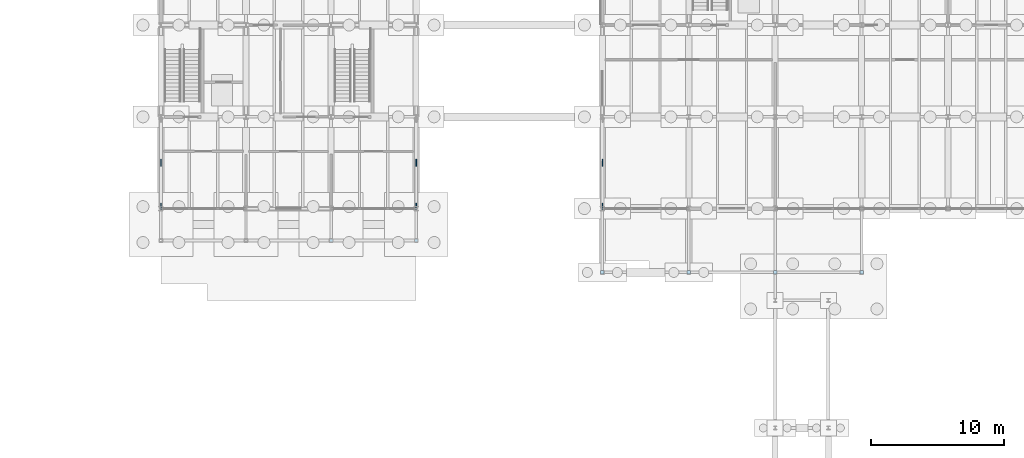
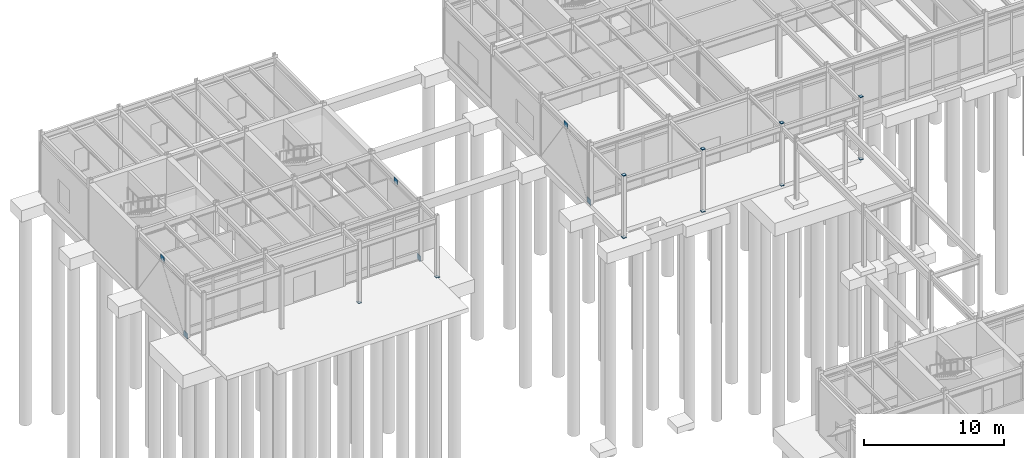
# One storey, part 60 of 82: 16 plates.
"""IFC4 building model written with IfcOpenShell, lengths in metres."""

from ifc_helpers import new_model, si_unit, direction, frame, origin, origin_2d, place, context, subcontext, project, spatial, rectangle, extrude, material, layer, layer_set, type_object, element, save


model = new_model("IFC4")

# Units and contexts
model_context = context("Model", 3, precision=1e-05, world=origin(), true_north=direction((0.0, 1.0)))
body_context = subcontext(model_context, "Body", "Model", "MODEL_VIEW")
ifc_project = project(units=[si_unit("LENGTHUNIT", "METRE"), si_unit("AREAUNIT", "SQUARE_METRE"), si_unit("VOLUMEUNIT", "CUBIC_METRE"), si_unit("PLANEANGLEUNIT", "RADIAN"), si_unit("MASSUNIT", "GRAM", prefix="KILO")], contexts=[model_context])

# Site, building, storey
site_placement = place(None, origin())
site = spatial("IfcSite", under=ifc_project, at=site_placement, CompositionType="ELEMENT")
building_placement = place(site_placement, origin())
building = spatial("IfcBuilding", under=site, at=building_placement, Name="Trelmorton Wharf Fire Station", CompositionType="ELEMENT")
storey_placement = place(building_placement, origin())
storey = spatial("IfcBuildingStorey", under=building, at=storey_placement, Name="L00", CompositionType="ELEMENT", Elevation=0.0)

# Plates
ifc_material = material(Name="Steel Grade 350", Category="steel")
ifc_layer_1 = layer(ifc_material, 0.02001953125)
ifc_layer_set_1 = layer_set([ifc_layer_1], Name="Steel Grade 350")
plate_type_1 = type_object("IfcPlateType", Name="PL_ENDCAP_20", PredefinedType="SHEET", material=ifc_layer_set_1)
for number, where, z_axis, x_axis, name in (
    (1, (83.60009765625, 57.89990234375, -0.02197265625), (0.0, 0.0, 1.0), (1.0, 0.0, 0.0), "PL-COLCAP-B-0130"),
    (2, (90.0, 57.89990234375, -0.02197265625), (0.0, 0.0, 1.0), (1.0, 0.0, 0.0), "PL-COLCAP-B-0137"),
    (3, (104.0, 55.5, -0.02197265625), (0.0, 0.0, 1.0), (1.0, 0.0, 0.0), "PL-COLCAP-B-0151"),
    (4, (104.0, 55.5, 5.39794921875), (0.0, 0.0, 1.0), (1.0, 0.0, 0.0), "PL-COLCAP-T-0151"),
    (5, (110.5, 55.5, -0.02197265625), (0.0, 0.0, 1.0), (1.0, 0.0, 0.0), "PL-COLCAP-B-0161"),
    (6, (110.5, 55.5, 5.39794921875), (0.0, 0.0, 1.0), (1.0, 0.0, 0.0), "PL-COLCAP-T-0161"),
    (7, (117.0, 55.5, -0.02197265625), (0.0, 0.0, 1.0), (1.0, 0.0, 0.0), "PL-COLCAP-B-0174"),
    (8, (117.0, 55.5, 5.39794921875), (0.0, 0.0, 1.0), (1.0, 0.0, 0.0), "PL-COLCAP-T-0174"),
    (9, (123.5, 55.5, -0.02197265625), (0.0, 0.0, 1.0), (1.0, 0.0, 0.0), "PL-COLCAP-B-0187"),
    (10, (123.5, 55.5, 5.39794921875), (0.0, 0.0, 1.0), (1.0, 0.0, 0.0), "PL-COLCAP-T-0187"),
):
    element("IfcPlate", number, at=place(storey_placement, frame(where, z_axis=z_axis, x_axis=x_axis)), inside=storey, type_object=plate_type_1, Name=name, PredefinedType="SHEET", context=body_context, shape_type="SweptSolid", body=[
        extrude(rectangle(XDim=0.27001953125, YDim=0.27001953125, at=origin_2d()), origin(), (0.0, 0.0, 1.0), 0.02392578125),
    ])
ifc_layer_2 = layer(ifc_material, 0.050048828125)
ifc_layer_set_2 = layer_set([ifc_layer_2], Name="Steel Grade 350")
plate_type_2 = type_object("IfcPlateType", Name="PL_GUSSET_TN2", PredefinedType="USERDEFINED", material=ifc_layer_set_2)
for number, where, z_axis, x_axis, name in (
    (11, (70.800048828125, 60.45458984375, -0.10498046875), (0.0, 0.0, 1.0), (1.0, 0.0, 0.0), "PL-CBF-0400"),
    (12, (70.800048828125, 63.75, 4.55517578125), (0.0, 0.0, 1.0), (1.0, 0.0, 0.0), "PL-CBF-0402"),
    (13, (90.0, 60.45458984375, -0.10498046875), (0.0, 0.0, 1.0), (1.0, 0.0, 0.0), "PL-CBF-0421"),
    (14, (90.0, 63.75, 4.55517578125), (0.0, 0.0, 1.0), (1.0, 0.0, 0.0), "PL-CBF-0423"),
    (15, (104.0, 60.46044921875, -0.10498046875), (0.0, 0.0, 1.0), (1.0, 0.0, 0.0), "PL-CBF-0442"),
    (16, (104.0, 63.75, 4.55517578125), (0.0, 0.0, 1.0), (1.0, 0.0, 0.0), "PL-CBF-0444"),
):
    element("IfcPlate", number, at=place(storey_placement, frame(where, z_axis=z_axis, x_axis=x_axis)), inside=storey, type_object=plate_type_2, Name=name, ObjectType="GUSSET PLATE", PredefinedType="USERDEFINED", context=body_context, shape_type="SweptSolid", body=[
        extrude(rectangle(XDim=0.050048828125, YDim=0.5, at=origin_2d()), origin(), (0.0, 0.0, 1.0), 0.449951171875),
    ])

save(model, "model.ifc")
